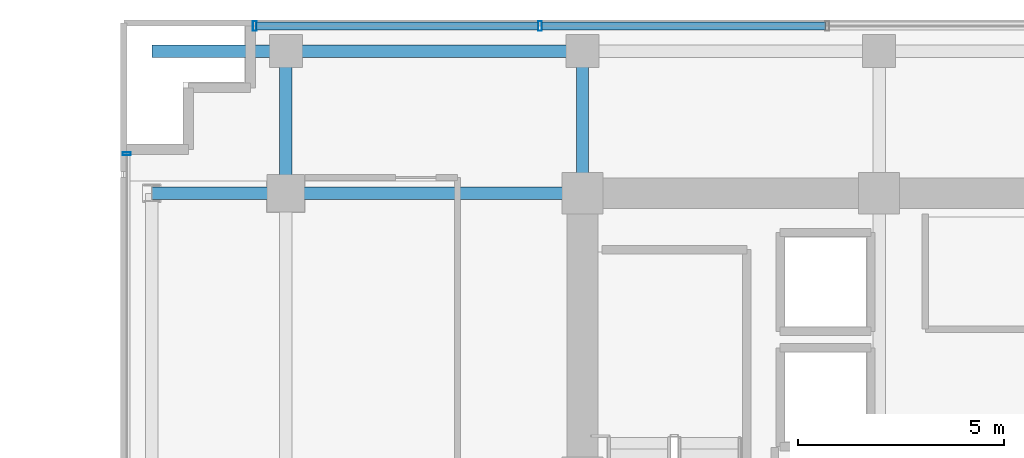
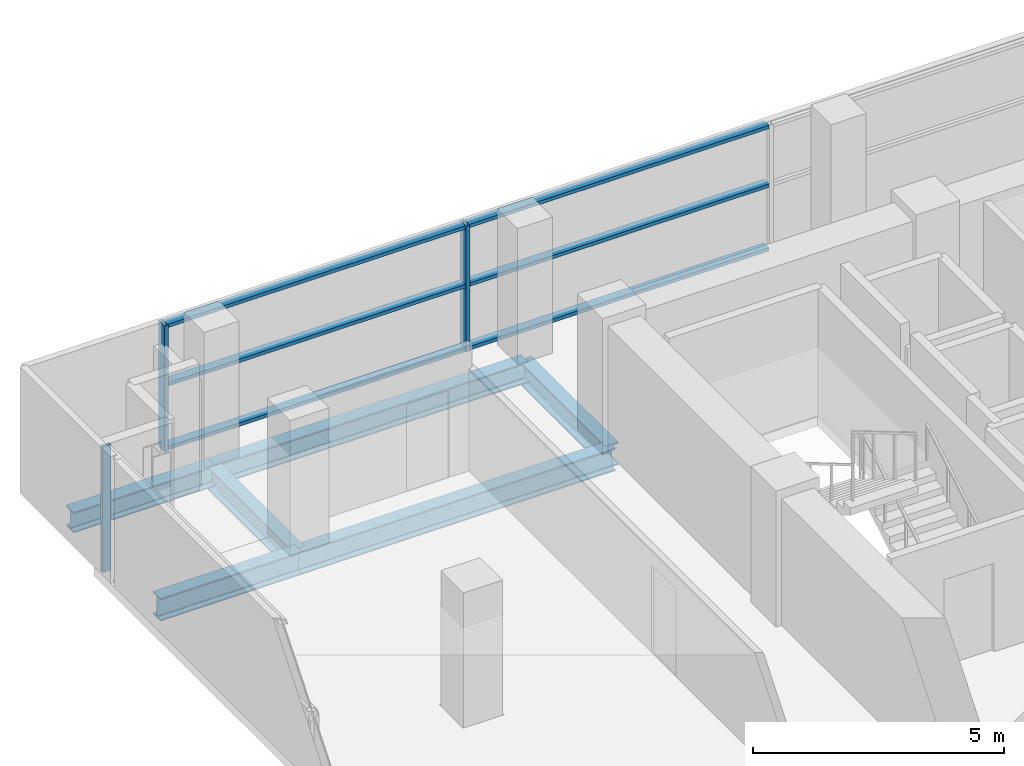
# One storey, part 10 of 23: 9 members, 6 beams, 2 elements without a shape of their own.
"""IFC4 building model written with IfcOpenShell, lengths in metres."""

from ifc_helpers import new_model, si_unit, direction, frame, origin, origin_2d, place, context, subcontext, project, spatial, hollow_rectangle, i_section, extrude, source, transform, mapped, material, layer, layer_set, material_profile, profile_set, type_object, element, aggregate, save


model = new_model("IFC4")

# Units and contexts
model_context = context("Model", 3, precision=1e-05, world=origin(), true_north=direction((0.0, 1.0)))
body_context = subcontext(model_context, "Body", "Model", "MODEL_VIEW")
ifc_project = project(units=[si_unit("LENGTHUNIT", "METRE"), si_unit("AREAUNIT", "SQUARE_METRE"), si_unit("VOLUMEUNIT", "CUBIC_METRE"), si_unit("PLANEANGLEUNIT", "RADIAN"), si_unit("MASSUNIT", "GRAM", prefix="KILO")], contexts=[model_context])

# Site, building, storey
site_placement = place(None, origin())
site = spatial("IfcSite", under=ifc_project, at=site_placement, CompositionType="ELEMENT")
building_placement = place(site_placement, origin())
building = spatial("IfcBuilding", under=site, at=building_placement, Name="Zarnakvel Exchange Tower", CompositionType="ELEMENT")
storey_placement = place(building_placement, frame((0.0, 0.0, 129.699951171875)))
storey = spatial("IfcBuildingStorey", under=building, at=storey_placement, Name="L36", CompositionType="ELEMENT", Elevation=129.699951171875)

# Beams
ifc_material_1 = material(Name="Steel S355", Category="steel")
ifc_material_profile_1 = material_profile(ifc_material_1, i_section(OverallWidth=0.300048828125, OverallDepth=0.550048828125, WebThickness=0.014892578125, FlangeThickness=0.029052734375, FilletRadius=0.027099609375, at=origin_2d()))
ifc_profile_set_1 = profile_set([ifc_material_profile_1], Name="Steel S355")
beam_type_1 = type_object("IfcBeamType", Name="G-05", PredefinedType="BEAM", material=ifc_profile_set_1)
beam_1_placement = place(storey_placement, frame((-24.85009765625, 13.5, -0.5), z_axis=(1.0, 0.0, 0.0), x_axis=(0.0, 1.0, 0.0)))
element("IfcBeam", 1, at=beam_1_placement, inside=storey, type_object=beam_type_1, Name="L36 Tower E-W Frame Beam", PredefinedType="BEAM", context=body_context, shape_type="SweptSolid", body=[
    extrude(i_section(OverallWidth=0.300048828125, OverallDepth=0.550048828125, WebThickness=0.014892578125, FlangeThickness=0.029052734375, FilletRadius=0.027099609375, at=origin_2d()), origin(), (0.0, 0.0, 1.0), 3.25),
])
beam_2_placement = place(storey_placement, frame((-21.60009765625, 13.5, -0.5), z_axis=(1.0, 0.0, 0.0), x_axis=(0.0, 1.0, 0.0)))
element("IfcBeam", 2, at=beam_2_placement, inside=storey, type_object=beam_type_1, Name="L36 Tower E-W Frame Beam", PredefinedType="BEAM", context=body_context, shape_type="SweptSolid", body=[
    extrude(i_section(OverallWidth=0.300048828125, OverallDepth=0.550048828125, WebThickness=0.014892578125, FlangeThickness=0.029052734375, FilletRadius=0.027099609375, at=origin_2d()), origin(), (0.0, 0.0, 1.0), 7.2001953125),
])
for number, where, z_axis, x_axis, name in (
    (3, (-21.60009765625, 13.5, -0.5), (0.0, 1.0, 0.0), (-1.0, 0.0, 0.0), "L36 Tower N-S Frame Beam"),
    (4, (-14.39990234375, 13.5, -0.5), (0.0, 1.0, 0.0), (-1.0, 0.0, 0.0), "L36 Tower N-S Frame Beam"),
):
    element("IfcBeam", number, at=place(storey_placement, frame(where, z_axis=z_axis, x_axis=x_axis)), inside=storey, type_object=beam_type_1, Name=name, PredefinedType="BEAM", context=body_context, shape_type="SweptSolid", body=[
        extrude(i_section(OverallWidth=0.300048828125, OverallDepth=0.550048828125, WebThickness=0.014892578125, FlangeThickness=0.029052734375, FilletRadius=0.027099609375, at=origin_2d()), origin(), (0.0, 0.0, 1.0), 3.449951171875),
    ])
ifc_material_profile_2 = material_profile(ifc_material_1, i_section(OverallWidth=0.300048828125, OverallDepth=0.5, WebThickness=0.014404296875, FlangeThickness=0.028076171875, FilletRadius=0.027099609375, at=origin_2d()))
ifc_profile_set_2 = profile_set([ifc_material_profile_2], Name="Steel S355")
beam_type_2 = type_object("IfcBeamType", Name="SP-02", PredefinedType="SPANDREL", material=ifc_profile_set_2)
beam_3_placement = place(storey_placement, frame((-21.60009765625, 16.949951171875, -0.474853515625), z_axis=(1.0, 0.0, 0.0), x_axis=(0.0, 1.0, 0.0)))
element("IfcBeam", 5, at=beam_3_placement, inside=storey, type_object=beam_type_2, Name="L36 Tower E-W Frame Beam", PredefinedType="SPANDREL", context=body_context, shape_type="SweptSolid", body=[
    extrude(i_section(OverallWidth=0.300048828125, OverallDepth=0.5, WebThickness=0.014404296875, FlangeThickness=0.028076171875, FilletRadius=0.027099609375, at=origin_2d()), origin(), (0.0, 0.0, 1.0), 7.2001953125),
])
beam_4_placement = place(storey_placement, frame((-24.85009765625, 16.949951171875, -0.474853515625), z_axis=(1.0, 0.0, 0.0), x_axis=(0.0, 1.0, 0.0)))
element("IfcBeam", 6, at=beam_4_placement, inside=storey, type_object=beam_type_2, Name="L36 North-West Corner Spandrel", PredefinedType="SPANDREL", context=body_context, shape_type="SweptSolid", body=[
    extrude(i_section(OverallWidth=0.300048828125, OverallDepth=0.5, WebThickness=0.014404296875, FlangeThickness=0.028076171875, FilletRadius=0.027099609375, at=origin_2d()), origin(), (0.0, 0.0, 1.0), 3.25),
])

# Curtain wall, members
ifc_material_2 = material(Name="Architectural Bronze Anodised Aluminium", Category="aluminium")
ifc_layer_1 = layer(ifc_material_2, 0.239990234375)
ifc_layer_set_1 = layer_set([ifc_layer_1], Name="Architectural Bronze Anodised Aluminium")
curtain_wall_type_1 = type_object("IfcCurtainWallType", Name="CW-02", PredefinedType="NOTDEFINED", material=ifc_layer_set_1)
curtain_wall_1_placement = place(storey_placement, origin())
curtain_wall_1 = element("IfcCurtainWall", 7, at=curtain_wall_1_placement, inside=storey, type_object=curtain_wall_type_1, Name="L36 Curtain Wall CW-L36-N1 (CW-02)", PredefinedType="NOTDEFINED")
ifc_material_profile_3 = material_profile(ifc_material_2, hollow_rectangle(XDim=0.239990234375, YDim=0.090087890625, WallThickness=0.006103515625, at=origin_2d()))
ifc_profile_set_3 = profile_set([ifc_material_profile_3], Name="Architectural Bronze Anodised Aluminium")
member_type_1 = type_object("IfcMemberType", Name="CWM-02", PredefinedType="MULLION", material=ifc_profile_set_3)
shared_shape_1 = source(origin(), body_context, "Body", "SweptSolid", [
    extrude(hollow_rectangle(XDim=0.239990234375, YDim=0.090087890625, WallThickness=0.006103515625, at=origin_2d()), origin(), (0.0, 0.0, 1.0), 3.054931640625),
])
member_1_placement = place(storey_placement, frame((-22.35498046875, 17.56005859375, 0.0), z_axis=(0.0, 0.0, 1.0), x_axis=(0.0, 1.0, 0.0)))
member_1 = element("IfcMember", 8, at=member_1_placement, type_object=member_type_1, Name="CW-02 mullion 1", PredefinedType="MULLION", context=body_context, shape_type="MappedRepresentation", body=[
    mapped(shared_shape_1, transform((0.0, 0.0, 0.0), x_axis=(1.0, 0.0, 0.0), y_axis=(0.0, 1.0, 0.0), z_axis=(0.0, 0.0, 1.0), scale=1.0)),
])
member_2_placement = place(storey_placement, frame((-15.428466796875, 17.56005859375, 0.0), z_axis=(0.0, 0.0, 1.0), x_axis=(0.0, 1.0, 0.0)))
member_2 = element("IfcMember", 9, at=member_2_placement, type_object=member_type_1, Name="CW-02 mullion 2", PredefinedType="MULLION", context=body_context, shape_type="MappedRepresentation", body=[
    mapped(shared_shape_1, transform((0.0, 0.0, 0.0), x_axis=(1.0, 0.0, 0.0), y_axis=(0.0, 1.0, 0.0), z_axis=(0.0, 0.0, 1.0), scale=1.0)),
])

# Curtain wall, member
ifc_layer_2 = layer(ifc_material_2, 0.199951171875)
ifc_layer_set_2 = layer_set([ifc_layer_2], Name="Architectural Bronze Anodised Aluminium")
curtain_wall_type_2 = type_object("IfcCurtainWallType", Name="CW-04", PredefinedType="NOTDEFINED", material=ifc_layer_set_2)
curtain_wall_2_placement = place(storey_placement, origin())
curtain_wall_2 = element("IfcCurtainWall", 10, at=curtain_wall_2_placement, inside=storey, type_object=curtain_wall_type_2, Name="L36 Curtain Wall CW-L36-WN (CW-04)", PredefinedType="NOTDEFINED")
ifc_material_profile_4 = material_profile(ifc_material_2, hollow_rectangle(XDim=0.199951171875, YDim=0.074951171875, WallThickness=0.0048828125, at=origin_2d()))
ifc_profile_set_4 = profile_set([ifc_material_profile_4], Name="Architectural Bronze Anodised Aluminium")
member_type_2 = type_object("IfcMemberType", Name="CWM-04", PredefinedType="MULLION", material=ifc_profile_set_4)
shared_shape_2 = source(origin(), body_context, "Body", "SweptSolid", [
    extrude(hollow_rectangle(XDim=0.199951171875, YDim=0.074951171875, WallThickness=0.0048828125, at=origin_2d()), origin(), (0.0, 0.0, 1.0), 3.054931640625),
])
member_3_placement = place(storey_placement, frame((-25.4599609375, 14.46240234375, 0.0), z_axis=(0.0, 0.0, 1.0), x_axis=(-1.0, 0.0, 0.0)))
member_3 = element("IfcMember", 11, at=member_3_placement, type_object=member_type_2, Name="CW-04 mullion 3", PredefinedType="MULLION", context=body_context, shape_type="MappedRepresentation", body=[
    mapped(shared_shape_2, transform((0.0, 0.0, 0.0), x_axis=(1.0, 0.0, 0.0), y_axis=(0.0, 1.0, 0.0), z_axis=(0.0, 0.0, 1.0), scale=1.0)),
])
aggregate(curtain_wall_2, [member_3])

# Member
ifc_material_profile_5 = material_profile(ifc_material_2, hollow_rectangle(XDim=0.199951171875, YDim=0.0849609375, WallThickness=0.0048828125, at=origin_2d()))
ifc_profile_set_5 = profile_set([ifc_material_profile_5], Name="Architectural Bronze Anodised Aluminium")
member_type_3 = type_object("IfcMemberType", Name="CWT-02", PredefinedType="USERDEFINED", material=ifc_profile_set_5)
shared_shape_3 = source(origin(), body_context, "Body", "SweptSolid", [
    extrude(hollow_rectangle(XDim=0.199951171875, YDim=0.0849609375, WallThickness=0.0048828125, at=origin_2d()), origin(), (0.0, 0.0, 1.0), 6.83642578125),
])
member_4_placement = place(storey_placement, frame((-22.31005859375, 17.56005859375, 0.04248046875), z_axis=(1.0, 0.0, 0.0), x_axis=(0.0, 1.0, 0.0)))
member_4 = element("IfcMember", 12, at=member_4_placement, type_object=member_type_3, Name="CW-02 transom 1.1", ObjectType="TRANSOM", PredefinedType="USERDEFINED", context=body_context, shape_type="MappedRepresentation", body=[
    mapped(shared_shape_3, transform((0.0, 0.0, 0.0), x_axis=(1.0, 0.0, 0.0), y_axis=(0.0, 1.0, 0.0), z_axis=(0.0, 0.0, 1.0), scale=1.0)),
])

member_5_placement = place(storey_placement, frame((-22.31005859375, 17.56005859375, 1.588623046875), z_axis=(1.0, 0.0, 0.0), x_axis=(0.0, 1.0, 0.0)))
member_5 = element("IfcMember", 13, at=member_5_placement, type_object=member_type_3, Name="CW-02 transom 1.2", ObjectType="TRANSOM", PredefinedType="USERDEFINED", context=body_context, shape_type="MappedRepresentation", body=[
    mapped(shared_shape_3, transform((0.0, 0.0, 0.0), x_axis=(1.0, 0.0, 0.0), y_axis=(0.0, 1.0, 0.0), z_axis=(0.0, 0.0, 1.0), scale=1.0)),
])

member_6_placement = place(storey_placement, frame((-22.31005859375, 17.56005859375, 3.012451171875), z_axis=(1.0, 0.0, 0.0), x_axis=(0.0, 1.0, 0.0)))
member_6 = element("IfcMember", 14, at=member_6_placement, type_object=member_type_3, Name="CW-02 transom 1.3", ObjectType="TRANSOM", PredefinedType="USERDEFINED", context=body_context, shape_type="MappedRepresentation", body=[
    mapped(shared_shape_3, transform((0.0, 0.0, 0.0), x_axis=(1.0, 0.0, 0.0), y_axis=(0.0, 1.0, 0.0), z_axis=(0.0, 0.0, 1.0), scale=1.0)),
])

shared_shape_4 = source(origin(), body_context, "Body", "SweptSolid", [
    extrude(hollow_rectangle(XDim=0.199951171875, YDim=0.0849609375, WallThickness=0.0048828125, at=origin_2d()), origin(), (0.0, 0.0, 1.0), 6.88134765625),
])
member_7_placement = place(storey_placement, frame((-15.383544921875, 17.56005859375, 0.04248046875), z_axis=(1.0, 0.0, 0.0), x_axis=(0.0, 1.0, 0.0)))
member_7 = element("IfcMember", 15, at=member_7_placement, type_object=member_type_3, Name="CW-02 transom 2.1", ObjectType="TRANSOM", PredefinedType="USERDEFINED", context=body_context, shape_type="MappedRepresentation", body=[
    mapped(shared_shape_4, transform((0.0, 0.0, 0.0), x_axis=(1.0, 0.0, 0.0), y_axis=(0.0, 1.0, 0.0), z_axis=(0.0, 0.0, 1.0), scale=1.0)),
])

member_8_placement = place(storey_placement, frame((-15.383544921875, 17.56005859375, 1.588623046875), z_axis=(1.0, 0.0, 0.0), x_axis=(0.0, 1.0, 0.0)))
member_8 = element("IfcMember", 16, at=member_8_placement, type_object=member_type_3, Name="CW-02 transom 2.2", ObjectType="TRANSOM", PredefinedType="USERDEFINED", context=body_context, shape_type="MappedRepresentation", body=[
    mapped(shared_shape_4, transform((0.0, 0.0, 0.0), x_axis=(1.0, 0.0, 0.0), y_axis=(0.0, 1.0, 0.0), z_axis=(0.0, 0.0, 1.0), scale=1.0)),
])

member_9_placement = place(storey_placement, frame((-15.383544921875, 17.56005859375, 3.012451171875), z_axis=(1.0, 0.0, 0.0), x_axis=(0.0, 1.0, 0.0)))
member_9 = element("IfcMember", 17, at=member_9_placement, type_object=member_type_3, Name="CW-02 transom 2.3", ObjectType="TRANSOM", PredefinedType="USERDEFINED", context=body_context, shape_type="MappedRepresentation", body=[
    mapped(shared_shape_4, transform((0.0, 0.0, 0.0), x_axis=(1.0, 0.0, 0.0), y_axis=(0.0, 1.0, 0.0), z_axis=(0.0, 0.0, 1.0), scale=1.0)),
])

aggregate(curtain_wall_1, [member_1, member_2, member_4, member_5, member_6, member_7, member_8, member_9])

save(model, "model.ifc")
